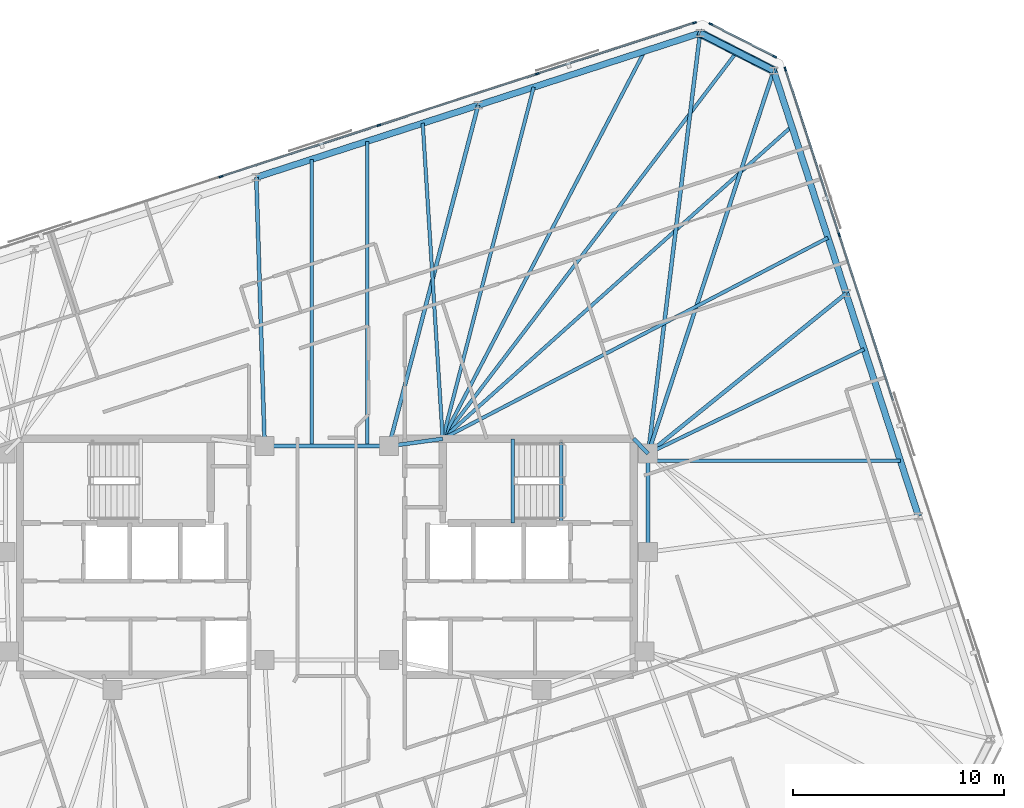
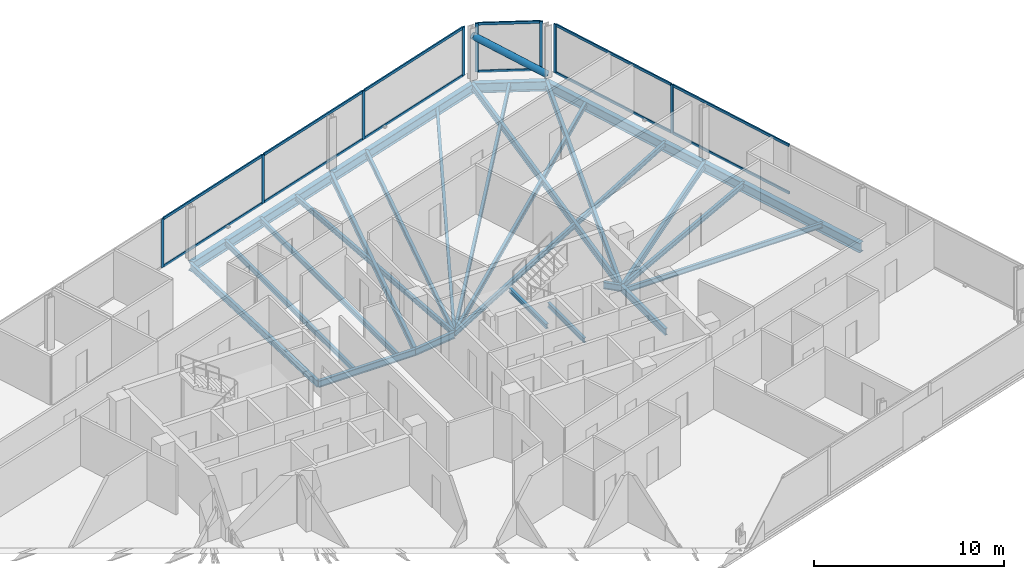
# One storey, part 10 of 19: 26 beams, 21 members, 3 elements without a shape of their own.
"""IFC4 building model written with IfcOpenShell, lengths in metres."""

from ifc_helpers import new_model, si_unit, direction, frame, origin, origin_2d, place, context, subcontext, project, spatial, rectangle, hollow_circle, i_section, extrude, material, material_profile, profile_set, type_object, element, aggregate, save


model = new_model("IFC4")

# Units and contexts
model_context = context("Model", 3, precision=1e-05, world=origin(), true_north=direction((0.0, 1.0)))
body_context = subcontext(model_context, "Body", "Model", "MODEL_VIEW")
ifc_project = project(units=[si_unit("LENGTHUNIT", "METRE"), si_unit("AREAUNIT", "SQUARE_METRE"), si_unit("VOLUMEUNIT", "CUBIC_METRE"), si_unit("PLANEANGLEUNIT", "RADIAN"), si_unit("MASSUNIT", "GRAM", prefix="KILO")], contexts=[model_context])

# Site, building, storey
site_placement = place(None, origin())
site = spatial("IfcSite", under=ifc_project, at=site_placement, CompositionType="ELEMENT")
building_placement = place(site_placement, origin())
building = spatial("IfcBuilding", under=site, at=building_placement, Name="Menara Jurai Vektor", CompositionType="ELEMENT")
storey_placement = place(building_placement, frame((0.0, 0.0, 241.050048828125)))
storey = spatial("IfcBuildingStorey", under=building, at=storey_placement, Name="L64", CompositionType="ELEMENT", Elevation=241.050048828125)

# Curtain wall, members
ifc_material_1 = material(Name="Anodised Pale Aluminium & Low-E Double Glazing", Category="aluminium")
curtain_wall_type = type_object("IfcCurtainWallType", Name="CW-BLK4", PredefinedType="NOTDEFINED", material=ifc_material_1)
curtain_wall_1_placement = place(storey_placement, origin())
curtain_wall_1 = element("IfcCurtainWall", 1, at=curtain_wall_1_placement, inside=storey, type_object=curtain_wall_type, Name="Unitised Curtain Wall L64 F03", PredefinedType="NOTDEFINED")
ifc_material_2 = material(Name="Anodised Pale Aluminium Mullion", Category="aluminium")
ifc_material_profile_1 = material_profile(ifc_material_2, rectangle(XDim=0.080078125, YDim=0.18994140625, at=origin_2d()), Name="ALU MUL 80x190")
ifc_profile_set_1 = profile_set([ifc_material_profile_1], Name="Anodised Pale Aluminium Mullion")
member_type_1 = type_object("IfcMemberType", Name="CW-BLK4-MUL", PredefinedType="MULLION", material=ifc_profile_set_1)
member_1_placement = place(storey_placement, frame((24.31494140625, 15.28271484375, 0.0), z_axis=(0.0, 0.0, 1.0), x_axis=(-0.95105668295, -0.309016481464, 0.0)))
member_1 = element("IfcMember", 2, at=member_1_placement, type_object=member_type_1, Name="CW-04 mullion 4", PredefinedType="MULLION", context=body_context, shape_type="SweptSolid", body=[
    extrude(rectangle(XDim=0.080078125, YDim=0.18994140625, at=origin_2d()), origin(), (0.0, 0.0, 1.0), 3.125),
])
member_2_placement = place(storey_placement, frame((21.75927734375, 23.14794921875, 0.0), z_axis=(0.0, 0.0, 1.0), x_axis=(-0.95105668295, -0.309016481464, 0.0)))
member_2 = element("IfcMember", 3, at=member_2_placement, type_object=member_type_1, Name="CW-04 mullion 5", PredefinedType="MULLION", context=body_context, shape_type="SweptSolid", body=[
    extrude(rectangle(XDim=0.080078125, YDim=0.18994140625, at=origin_2d()), origin(), (0.0, 0.0, 1.0), 3.125),
])

curtain_wall_2_placement = place(storey_placement, origin())
curtain_wall_2 = element("IfcCurtainWall", 4, at=curtain_wall_2_placement, inside=storey, type_object=curtain_wall_type, Name="Unitised Curtain Wall L64 F04", PredefinedType="NOTDEFINED")
member_3_placement = place(storey_placement, frame((21.25537109375, 23.73828125, 0.0), z_axis=(0.0, 0.0, 1.0), x_axis=(-0.453988579828, -0.89100750243, 0.0)))
member_3 = element("IfcMember", 5, at=member_3_placement, type_object=member_type_1, Name="CW-04 mullion 1", PredefinedType="MULLION", context=body_context, shape_type="SweptSolid", body=[
    extrude(rectangle(XDim=0.080078125, YDim=0.18994140625, at=origin_2d()), origin(), (0.0, 0.0, 1.0), 3.125),
])
member_4_placement = place(storey_placement, frame((18.223388671875, 25.282958984375, 0.0), z_axis=(0.0, 0.0, 1.0), x_axis=(-0.453988579828, -0.89100750243, 0.0)))
member_4 = element("IfcMember", 6, at=member_4_placement, type_object=member_type_1, Name="CW-04 mullion 2", PredefinedType="MULLION", context=body_context, shape_type="SweptSolid", body=[
    extrude(rectangle(XDim=0.080078125, YDim=0.18994140625, at=origin_2d()), origin(), (0.0, 0.0, 1.0), 3.125),
])

curtain_wall_3_placement = place(storey_placement, origin())
curtain_wall_3 = element("IfcCurtainWall", 7, at=curtain_wall_3_placement, inside=storey, type_object=curtain_wall_type, Name="Unitised Curtain Wall L64 F05", PredefinedType="NOTDEFINED")
member_5_placement = place(storey_placement, frame((17.44970703125, 25.34375, 0.0), z_axis=(0.0, 0.0, 1.0), x_axis=(0.309017344167, -0.951056402641, 0.0)))
member_5 = element("IfcMember", 8, at=member_5_placement, type_object=member_type_1, Name="CW-04 mullion 1", PredefinedType="MULLION", context=body_context, shape_type="SweptSolid", body=[
    extrude(rectangle(XDim=0.080078125, YDim=0.18994140625, at=origin_2d()), origin(), (0.0, 0.0, 1.0), 3.125),
])
member_6_placement = place(storey_placement, frame((9.982666015625, 22.917724609375, 0.0), z_axis=(0.0, 0.0, 1.0), x_axis=(0.309017344167, -0.951056402641, 0.0)))
member_6 = element("IfcMember", 9, at=member_6_placement, type_object=member_type_1, Name="CW-04 mullion 2", PredefinedType="MULLION", context=body_context, shape_type="SweptSolid", body=[
    extrude(rectangle(XDim=0.080078125, YDim=0.18994140625, at=origin_2d()), origin(), (0.0, 0.0, 1.0), 3.125),
])
member_7_placement = place(storey_placement, frame((2.4775390625, 20.47900390625, 0.0), z_axis=(0.0, 0.0, 1.0), x_axis=(0.309017344167, -0.951056402641, 0.0)))
member_7 = element("IfcMember", 10, at=member_7_placement, type_object=member_type_1, Name="CW-04 mullion 3", PredefinedType="MULLION", context=body_context, shape_type="SweptSolid", body=[
    extrude(rectangle(XDim=0.080078125, YDim=0.18994140625, at=origin_2d()), origin(), (0.0, 0.0, 1.0), 3.125),
])
member_8_placement = place(storey_placement, frame((-5.02783203125, 18.04052734375, 0.0), z_axis=(0.0, 0.0, 1.0), x_axis=(0.309017344167, -0.951056402641, 0.0)))
member_8 = element("IfcMember", 11, at=member_8_placement, type_object=member_type_1, Name="CW-04 mullion 4", PredefinedType="MULLION", context=body_context, shape_type="SweptSolid", body=[
    extrude(rectangle(XDim=0.080078125, YDim=0.18994140625, at=origin_2d()), origin(), (0.0, 0.0, 1.0), 3.125),
])

# Member
ifc_material_3 = material(Name="Anodised Pale Aluminium Transom", Category="aluminium")
ifc_material_profile_2 = material_profile(ifc_material_3, rectangle(XDim=0.080078125, YDim=0.1650390625, at=origin_2d()), Name="ALU TRN 80x165")
ifc_profile_set_2 = profile_set([ifc_material_profile_2], Name="Anodised Pale Aluminium Transom")
member_type_2 = type_object("IfcMemberType", Name="CW-BLK4-TRN", PredefinedType="USERDEFINED", material=ifc_profile_set_2)
member_9_placement = place(storey_placement, frame((26.870361328125, 7.41748046875, 0.0400390625), z_axis=(-0.309010276303, 0.951058699103, 0.0), x_axis=(-0.951058699103, -0.309010276303, 0.0)))
member_9 = element("IfcMember", 12, at=member_9_placement, type_object=member_type_2, Name="CW-04 transom 3.1", ObjectType="TRANSOM", PredefinedType="USERDEFINED", context=body_context, shape_type="SweptSolid", body=[
    extrude(rectangle(XDim=0.080078125, YDim=0.1650390625, at=origin_2d()), origin(), (0.0, 0.0, 1.0), 8.230224609375),
])

member_10_placement = place(storey_placement, frame((26.870361328125, 7.41748046875, 3.0849609375), z_axis=(-0.309010276303, 0.951058699103, 0.0), x_axis=(-0.951058699103, -0.309010276303, 0.0)))
member_10 = element("IfcMember", 13, at=member_10_placement, type_object=member_type_2, Name="CW-04 transom 3.2", ObjectType="TRANSOM", PredefinedType="USERDEFINED", context=body_context, shape_type="SweptSolid", body=[
    extrude(rectangle(XDim=0.080078125, YDim=0.1650390625, at=origin_2d()), origin(), (0.0, 0.0, 1.0), 8.230224609375),
])

member_11_placement = place(storey_placement, frame((24.302490234375, 15.32080078125, 0.0400390625), z_axis=(-0.309001816839, 0.951061447642, 0.0), x_axis=(-0.951061447642, -0.309001816839, 0.0)))
member_11 = element("IfcMember", 14, at=member_11_placement, type_object=member_type_2, Name="CW-04 transom 4.1", ObjectType="TRANSOM", PredefinedType="USERDEFINED", context=body_context, shape_type="SweptSolid", body=[
    extrude(rectangle(XDim=0.080078125, YDim=0.1650390625, at=origin_2d()), origin(), (0.0, 0.0, 1.0), 8.190185546875),
])

member_12_placement = place(storey_placement, frame((24.302490234375, 15.32080078125, 3.0849609375), z_axis=(-0.309001816839, 0.951061447642, 0.0), x_axis=(-0.951061447642, -0.309001816839, 0.0)))
member_12 = element("IfcMember", 15, at=member_12_placement, type_object=member_type_2, Name="CW-04 transom 4.2", ObjectType="TRANSOM", PredefinedType="USERDEFINED", context=body_context, shape_type="SweptSolid", body=[
    extrude(rectangle(XDim=0.080078125, YDim=0.1650390625, at=origin_2d()), origin(), (0.0, 0.0, 1.0), 8.190185546875),
])

aggregate(curtain_wall_1, [member_1, member_2, member_9, member_10, member_11, member_12])

member_13_placement = place(storey_placement, frame((21.2197265625, 23.75634765625, 0.0400390625), z_axis=(-0.89100697374, 0.453989617444, 0.0), x_axis=(-0.453989617444, -0.89100697374, 0.0)))
member_13 = element("IfcMember", 16, at=member_13_placement, type_object=member_type_2, Name="CW-04 transom 1.1", ObjectType="TRANSOM", PredefinedType="USERDEFINED", context=body_context, shape_type="SweptSolid", body=[
    extrude(rectangle(XDim=0.080078125, YDim=0.1650390625, at=origin_2d()), origin(), (0.0, 0.0, 1.0), 3.32275390625),
])

member_14_placement = place(storey_placement, frame((21.2197265625, 23.75634765625, 3.0849609375), z_axis=(-0.89100697374, 0.453989617444, 0.0), x_axis=(-0.453989617444, -0.89100697374, 0.0)))
member_14 = element("IfcMember", 17, at=member_14_placement, type_object=member_type_2, Name="CW-04 transom 1.2", ObjectType="TRANSOM", PredefinedType="USERDEFINED", context=body_context, shape_type="SweptSolid", body=[
    extrude(rectangle(XDim=0.080078125, YDim=0.1650390625, at=origin_2d()), origin(), (0.0, 0.0, 1.0), 3.32275390625),
])

aggregate(curtain_wall_2, [member_3, member_4, member_13, member_14])

member_15_placement = place(storey_placement, frame((17.41162109375, 25.33154296875, 0.0400390625), z_axis=(-0.951049997348, -0.309037056912, 0.0), x_axis=(0.309037056912, -0.951049997348, 0.0)))
member_15 = element("IfcMember", 18, at=member_15_placement, type_object=member_type_2, Name="CW-04 transom 1.1", ObjectType="TRANSOM", PredefinedType="USERDEFINED", context=body_context, shape_type="SweptSolid", body=[
    extrude(rectangle(XDim=0.080078125, YDim=0.1650390625, at=origin_2d()), origin(), (0.0, 0.0, 1.0), 7.771240234375),
])

member_16_placement = place(storey_placement, frame((17.41162109375, 25.33154296875, 3.0849609375), z_axis=(-0.951049997348, -0.309037056912, 0.0), x_axis=(0.309037056912, -0.951049997348, 0.0)))
member_16 = element("IfcMember", 19, at=member_16_placement, type_object=member_type_2, Name="CW-04 transom 1.2", ObjectType="TRANSOM", PredefinedType="USERDEFINED", context=body_context, shape_type="SweptSolid", body=[
    extrude(rectangle(XDim=0.080078125, YDim=0.1650390625, at=origin_2d()), origin(), (0.0, 0.0, 1.0), 7.771240234375),
])

member_17_placement = place(storey_placement, frame((9.944580078125, 22.9052734375, 0.0400390625), z_axis=(-0.951059330237, -0.309008333817, 0.0), x_axis=(0.309008333817, -0.951059330237, 0.0)))
member_17 = element("IfcMember", 20, at=member_17_placement, type_object=member_type_2, Name="CW-04 transom 2.1", ObjectType="TRANSOM", PredefinedType="USERDEFINED", context=body_context, shape_type="SweptSolid", body=[
    extrude(rectangle(XDim=0.080078125, YDim=0.1650390625, at=origin_2d()), origin(), (0.0, 0.0, 1.0), 7.8115234375),
])

member_18_placement = place(storey_placement, frame((9.944580078125, 22.9052734375, 3.0849609375), z_axis=(-0.951059330237, -0.309008333817, 0.0), x_axis=(0.309008333817, -0.951059330237, 0.0)))
member_18 = element("IfcMember", 21, at=member_18_placement, type_object=member_type_2, Name="CW-04 transom 2.2", ObjectType="TRANSOM", PredefinedType="USERDEFINED", context=body_context, shape_type="SweptSolid", body=[
    extrude(rectangle(XDim=0.080078125, YDim=0.1650390625, at=origin_2d()), origin(), (0.0, 0.0, 1.0), 7.8115234375),
])

member_19_placement = place(storey_placement, frame((2.439453125, 20.466552734375, 0.0400390625), z_axis=(-0.951059330237, -0.309008333817, 0.0), x_axis=(0.309008333817, -0.951059330237, 0.0)))
member_19 = element("IfcMember", 22, at=member_19_placement, type_object=member_type_2, Name="CW-04 transom 3.1", ObjectType="TRANSOM", PredefinedType="USERDEFINED", context=body_context, shape_type="SweptSolid", body=[
    extrude(rectangle(XDim=0.080078125, YDim=0.1650390625, at=origin_2d()), origin(), (0.0, 0.0, 1.0), 7.8115234375),
])

member_20_placement = place(storey_placement, frame((2.439453125, 20.466552734375, 3.0849609375), z_axis=(-0.951059330237, -0.309008333817, 0.0), x_axis=(0.309008333817, -0.951059330237, 0.0)))
member_20 = element("IfcMember", 23, at=member_20_placement, type_object=member_type_2, Name="CW-04 transom 3.2", ObjectType="TRANSOM", PredefinedType="USERDEFINED", context=body_context, shape_type="SweptSolid", body=[
    extrude(rectangle(XDim=0.080078125, YDim=0.1650390625, at=origin_2d()), origin(), (0.0, 0.0, 1.0), 7.8115234375),
])

aggregate(curtain_wall_3, [member_5, member_6, member_7, member_8, member_15, member_16, member_17, member_18, member_19, member_20])

# Beams
ifc_material_4 = material(Name="Steel S355", Category="steel")
ifc_material_profile_3 = material_profile(ifc_material_4, i_section(OverallWidth=0.18505859375, OverallDepth=0.429931640625, WebThickness=0.010986328125, FlangeThickness=0.01806640625, at=origin_2d()), Name="PG 430x185x76")
ifc_profile_set_3 = profile_set([ifc_material_profile_3], Name="Steel S355")
beam_type_1 = type_object("IfcBeamType", Name="STR-BM-430", PredefinedType="BEAM", material=ifc_profile_set_3)
beam_1_placement = place(storey_placement, frame((2.949951171875, 5.25, -0.43994140625), z_axis=(0.990706818608, 0.136014703483, 0.0), x_axis=(-0.136014703483, 0.990706818608, 0.0)))
element("IfcBeam", 24, at=beam_1_placement, inside=storey, type_object=beam_type_1, Name="Core Ring Header Girder L64-CHE-N1", PredefinedType="BEAM", context=body_context, shape_type="SweptSolid", body=[
    extrude(i_section(OverallWidth=0.18505859375, OverallDepth=0.429931640625, WebThickness=0.010986328125, FlangeThickness=0.01806640625, at=origin_2d()), origin(), (0.0, 0.0, 1.0), 2.573974609375),
])
beam_2_placement = place(storey_placement, frame((14.56005859375, 5.60009765625, -0.43994140625), z_axis=(0.701871936926, -0.712303154672, 0.0), x_axis=(0.712303154672, 0.701871936926, 0.0)))
element("IfcBeam", 25, at=beam_2_placement, inside=storey, type_object=beam_type_1, Name="Core Ring Header Girder L64-CHE-N2", PredefinedType="BEAM", context=body_context, shape_type="SweptSolid", body=[
    extrude(i_section(OverallWidth=0.18505859375, OverallDepth=0.429931640625, WebThickness=0.010986328125, FlangeThickness=0.01806640625, at=origin_2d()), origin(), (0.0, 0.0, 1.0), 0.98291015625),
])
beam_3_placement = place(storey_placement, frame((15.25, 0.219970703125, -0.43994140625), z_axis=(0.0, 1.0, 0.0), x_axis=(-1.0, 0.0, 0.0)))
element("IfcBeam", 26, at=beam_3_placement, inside=storey, type_object=beam_type_1, Name="Core Ring Header Girder L64-CHE-E1", PredefinedType="BEAM", context=body_context, shape_type="SweptSolid", body=[
    extrude(i_section(OverallWidth=0.18505859375, OverallDepth=0.429931640625, WebThickness=0.010986328125, FlangeThickness=0.01806640625, at=origin_2d()), origin(), (0.0, 0.0, 1.0), 4.679931640625),
])
beam_4_placement = place(storey_placement, frame((-2.949951171875, 5.25, -0.43994140625), z_axis=(1.0, 0.0, 0.0), x_axis=(0.0, 1.0, 0.0)))
element("IfcBeam", 27, at=beam_4_placement, inside=storey, type_object=beam_type_1, Name="Core Ring Header Girder L64-CC-2", PredefinedType="BEAM", context=body_context, shape_type="SweptSolid", body=[
    extrude(i_section(OverallWidth=0.18505859375, OverallDepth=0.429931640625, WebThickness=0.010986328125, FlangeThickness=0.01806640625, at=origin_2d()), origin(), (0.0, 0.0, 1.0), 5.89990234375),
])
beam_5_placement = place(storey_placement, frame((24.641845703125, 12.496826171875, -0.43994140625), z_axis=(-0.777487674144, -0.628898176619, 0.0), x_axis=(0.628898176619, -0.777487674144, 0.0)))
element("IfcBeam", 28, at=beam_5_placement, inside=storey, type_object=beam_type_1, Name="Radial Floor Girder L64-E3", PredefinedType="BEAM", context=body_context, shape_type="SweptSolid", body=[
    extrude(i_section(OverallWidth=0.18505859375, OverallDepth=0.429931640625, WebThickness=0.010986328125, FlangeThickness=0.01806640625, at=origin_2d()), origin(), (0.0, 0.0, 1.0), 12.079833984375),
])
beam_6_placement = place(storey_placement, frame((21.205810546875, 23.071044921875, -0.43994140625), z_axis=(-0.311459010005, -0.950259588263, 0.0), x_axis=(0.950259588263, -0.311459010005, 0.0)))
element("IfcBeam", 29, at=beam_6_placement, inside=storey, type_object=beam_type_1, Name="Radial Floor Girder L64-E4", PredefinedType="BEAM", context=body_context, shape_type="SweptSolid", body=[
    extrude(i_section(OverallWidth=0.18505859375, OverallDepth=0.429931640625, WebThickness=0.010986328125, FlangeThickness=0.01806640625, at=origin_2d()), origin(), (0.0, 0.0, 1.0), 19.122314453125),
])
beam_7_placement = place(storey_placement, frame((17.712890625, 24.85107421875, -0.43994140625), z_axis=(-0.122515938756, -0.99246654591, 0.0), x_axis=(0.99246654591, -0.122515938756, 0.0)))
element("IfcBeam", 30, at=beam_7_placement, inside=storey, type_object=beam_type_1, Name="Radial Floor Girder L64-N1", PredefinedType="BEAM", context=body_context, shape_type="SweptSolid", body=[
    extrude(i_section(OverallWidth=0.18505859375, OverallDepth=0.429931640625, WebThickness=0.010986328125, FlangeThickness=0.01806640625, at=origin_2d()), origin(), (0.0, 0.0, 1.0), 20.1025390625),
])
beam_8_placement = place(storey_placement, frame((7.18359375, 21.4296875, -0.43994140625), z_axis=(-0.253141463003, -0.96742927375, 0.0), x_axis=(0.96742927375, -0.253141463003, 0.0)))
element("IfcBeam", 31, at=beam_8_placement, inside=storey, type_object=beam_type_1, Name="Radial Floor Girder L64-N2", PredefinedType="BEAM", context=body_context, shape_type="SweptSolid", body=[
    extrude(i_section(OverallWidth=0.18505859375, OverallDepth=0.429931640625, WebThickness=0.010986328125, FlangeThickness=0.01806640625, at=origin_2d()), origin(), (0.0, 0.0, 1.0), 16.724365234375),
])
beam_9_placement = place(storey_placement, frame((-3.345703125, 18.008544921875, -0.43994140625), z_axis=(0.031003668991, -0.999519270704, 0.0), x_axis=(0.999519270704, 0.031003668991, 0.0)))
element("IfcBeam", 32, at=beam_9_placement, inside=storey, type_object=beam_type_1, Name="Radial Floor Girder L64-N3", PredefinedType="BEAM", context=body_context, shape_type="SweptSolid", body=[
    extrude(i_section(OverallWidth=0.18505859375, OverallDepth=0.429931640625, WebThickness=0.010986328125, FlangeThickness=0.01806640625, at=origin_2d()), origin(), (0.0, 0.0, 1.0), 12.7646484375),
])

# Member
ifc_material_5 = material(Name="Steel S460", Category="steel")
ifc_material_profile_4 = material_profile(ifc_material_5, hollow_circle(Radius=0.203125, WallThickness=0.01611328125, at=origin_2d()), Name="CHS 406.4x16")
ifc_profile_set_4 = profile_set([ifc_material_profile_4], Name="Steel S460")
member_type_3 = type_object("IfcMemberType", Name="STR-BR-406", PredefinedType="BRACE", material=ifc_profile_set_4)
member_21_placement = place(storey_placement, frame((21.2060546875, 23.071044921875, 0.14990234375), z_axis=(-0.740360915323, 0.377269459996, 0.556357321886), x_axis=(-0.454025593397, -0.890988642206, 0.0)))
element("IfcMember", 33, at=member_21_placement, inside=storey, type_object=member_type_3, Name="Exoskeleton Corner Brace L64-2", PredefinedType="BRACE", context=body_context, shape_type="SweptSolid", body=[
    extrude(hollow_circle(Radius=0.203125, WallThickness=0.01611328125, at=origin_2d()), origin(), (0.0, 0.0, 1.0), 4.71826171875),
])

# Beams
ifc_material_profile_5 = material_profile(ifc_material_4, i_section(OverallWidth=0.1650390625, OverallDepth=0.330078125, WebThickness=0.009033203125, FlangeThickness=0.013916015625, at=origin_2d()), Name="PG 330x165x46")
ifc_profile_set_5 = profile_set([ifc_material_profile_5], Name="Steel S355")
beam_type_2 = type_object("IfcBeamType", Name="STR-JS-330", PredefinedType="JOIST", material=ifc_profile_set_5)
beam_10_placement = place(storey_placement, frame((27.218505859375, 4.56591796875, -0.39013671875), z_axis=(-1.0, 0.0, 0.0), x_axis=(0.0, -1.0, 0.0)))
element("IfcBeam", 34, at=beam_10_placement, inside=storey, type_object=beam_type_2, Name="Radial Secondary Floor Joist L64-JS11", PredefinedType="JOIST", context=body_context, shape_type="SweptSolid", body=[
    extrude(i_section(OverallWidth=0.1650390625, OverallDepth=0.330078125, WebThickness=0.009033203125, FlangeThickness=0.013916015625, at=origin_2d()), origin(), (0.0, 0.0, 1.0), 11.968505859375),
])
beam_11_placement = place(storey_placement, frame((25.500732421875, 9.853271484375, -0.39013671875), z_axis=(-0.900388578627, -0.435086666629, 0.0), x_axis=(0.435086666629, -0.900388578627, 0.0)))
element("IfcBeam", 35, at=beam_11_placement, inside=storey, type_object=beam_type_2, Name="Radial Secondary Floor Joist L64-JS12", PredefinedType="JOIST", context=body_context, shape_type="SweptSolid", body=[
    extrude(i_section(OverallWidth=0.1650390625, OverallDepth=0.330078125, WebThickness=0.009033203125, FlangeThickness=0.013916015625, at=origin_2d()), origin(), (0.0, 0.0, 1.0), 11.384765625),
])
beam_12_placement = place(storey_placement, frame((23.78271484375, 15.140380859375, -0.39013671875), z_axis=(-0.886555502614, -0.462622244153, 0.0), x_axis=(0.462622244153, -0.886555502614, 0.0)))
element("IfcBeam", 36, at=beam_12_placement, inside=storey, type_object=beam_type_2, Name="Radial Secondary Floor Joist L64-JS13", PredefinedType="JOIST", context=body_context, shape_type="SweptSolid", body=[
    extrude(i_section(OverallWidth=0.1650390625, OverallDepth=0.330078125, WebThickness=0.009033203125, FlangeThickness=0.013916015625, at=origin_2d()), origin(), (0.0, 0.0, 1.0), 20.6220703125),
])
beam_13_placement = place(storey_placement, frame((22.06494140625, 20.427490234375, -0.39013671875), z_axis=(-0.745104297608, -0.666947963252, 0.0), x_axis=(0.666947963252, -0.745104297608, 0.0)))
element("IfcBeam", 37, at=beam_13_placement, inside=storey, type_object=beam_type_2, Name="Radial Secondary Floor Joist L64-JS14", PredefinedType="JOIST", context=body_context, shape_type="SweptSolid", body=[
    extrude(i_section(OverallWidth=0.1650390625, OverallDepth=0.330078125, WebThickness=0.009033203125, FlangeThickness=0.013916015625, at=origin_2d()), origin(), (0.0, 0.0, 1.0), 22.231689453125),
])
beam_14_placement = place(storey_placement, frame((19.45947265625, 23.9609375, -0.39013671875), z_axis=(-0.605227110118, -0.796052853257, 0.0), x_axis=(0.796052853257, -0.605227110118, 0.0)))
element("IfcBeam", 38, at=beam_14_placement, inside=storey, type_object=beam_type_2, Name="Radial Secondary Floor Joist L64-JS15", PredefinedType="JOIST", context=body_context, shape_type="SweptSolid", body=[
    extrude(i_section(OverallWidth=0.1650390625, OverallDepth=0.330078125, WebThickness=0.009033203125, FlangeThickness=0.013916015625, at=origin_2d()), origin(), (0.0, 0.0, 1.0), 23.06494140625),
])
beam_15_placement = place(storey_placement, frame((15.08056640625, 23.99560546875, -0.39013671875), z_axis=(-0.461918215026, -0.886922523464, 0.0), x_axis=(0.886922523464, -0.461918215026, 0.0)))
element("IfcBeam", 39, at=beam_15_placement, inside=storey, type_object=beam_type_2, Name="Radial Secondary Floor Joist L64-JS16", PredefinedType="JOIST", context=body_context, shape_type="SweptSolid", body=[
    extrude(i_section(OverallWidth=0.1650390625, OverallDepth=0.330078125, WebThickness=0.009033203125, FlangeThickness=0.013916015625, at=origin_2d()), origin(), (0.0, 0.0, 1.0), 20.74072265625),
])
beam_16_placement = place(storey_placement, frame((9.81591796875, 22.28515625, -0.39013671875), z_axis=(-0.250427234151, -0.968135424616, 0.0), x_axis=(0.968135424616, -0.250427234151, 0.0)))
element("IfcBeam", 40, at=beam_16_placement, inside=storey, type_object=beam_type_2, Name="Radial Secondary Floor Joist L64-JS17", PredefinedType="JOIST", context=body_context, shape_type="SweptSolid", body=[
    extrude(i_section(OverallWidth=0.1650390625, OverallDepth=0.330078125, WebThickness=0.009033203125, FlangeThickness=0.013916015625, at=origin_2d()), origin(), (0.0, 0.0, 1.0), 17.234130859375),
])
beam_17_placement = place(storey_placement, frame((4.55126953125, 20.574462890625, -0.39013671875), z_axis=(0.063230194737, -0.997998969175, 0.0), x_axis=(0.997998969175, 0.063230194737, 0.0)))
element("IfcBeam", 41, at=beam_17_placement, inside=storey, type_object=beam_type_2, Name="Radial Secondary Floor Joist L64-JS18", PredefinedType="JOIST", context=body_context, shape_type="SweptSolid", body=[
    extrude(i_section(OverallWidth=0.1650390625, OverallDepth=0.330078125, WebThickness=0.009033203125, FlangeThickness=0.013916015625, at=origin_2d()), origin(), (0.0, 0.0, 1.0), 15.00439453125),
])
beam_18_placement = place(storey_placement, frame((1.9189453125, 19.71923828125, -0.39013671875), z_axis=(0.0, -1.0, 0.0), x_axis=(1.0, 0.0, 0.0)))
element("IfcBeam", 42, at=beam_18_placement, inside=storey, type_object=beam_type_2, Name="Radial Secondary Floor Joist L64-JS19", PredefinedType="JOIST", context=body_context, shape_type="SweptSolid", body=[
    extrude(i_section(OverallWidth=0.1650390625, OverallDepth=0.330078125, WebThickness=0.009033203125, FlangeThickness=0.013916015625, at=origin_2d()), origin(), (0.0, 0.0, 1.0), 14.46923828125),
])
beam_19_placement = place(storey_placement, frame((-0.71337890625, 18.864013671875, -0.39013671875), z_axis=(0.0, -1.0, 0.0), x_axis=(1.0, 0.0, 0.0)))
element("IfcBeam", 43, at=beam_19_placement, inside=storey, type_object=beam_type_2, Name="Radial Secondary Floor Joist L64-JS20", PredefinedType="JOIST", context=body_context, shape_type="SweptSolid", body=[
    extrude(i_section(OverallWidth=0.1650390625, OverallDepth=0.330078125, WebThickness=0.009033203125, FlangeThickness=0.013916015625, at=origin_2d()), origin(), (0.0, 0.0, 1.0), 13.614013671875),
])
ifc_material_profile_6 = material_profile(ifc_material_4, i_section(OverallWidth=0.1650390625, OverallDepth=0.302978515625, WebThickness=0.006103515625, FlangeThickness=0.010009765625, FilletRadius=0.009033203125, at=origin_2d()), Name="UKB 305x165x40")
ifc_profile_set_6 = profile_set([ifc_material_profile_6], Name="Steel S355")
beam_type_3 = type_object("IfcBeamType", Name="STR-LN-305", PredefinedType="LINTEL", material=ifc_profile_set_6)
beam_20_placement = place(storey_placement, frame((11.1201171875, 1.60009765625, -0.37646484375), z_axis=(0.0, 1.0, 0.0), x_axis=(-1.0, 0.0, 0.0)))
element("IfcBeam", 44, at=beam_20_placement, inside=storey, type_object=beam_type_3, Name="Stair Well Floor Trimmer ST2 L64", PredefinedType="LINTEL", context=body_context, shape_type="SweptSolid", body=[
    extrude(i_section(OverallWidth=0.1650390625, OverallDepth=0.302978515625, WebThickness=0.006103515625, FlangeThickness=0.010009765625, FilletRadius=0.009033203125, at=origin_2d()), origin(), (0.0, 0.0, 1.0), 3.81982421875),
])
beam_21_placement = place(storey_placement, frame((8.830078125, 1.60009765625, 1.323486328125), z_axis=(0.0, 1.0, 0.0), x_axis=(-1.0, 0.0, 0.0)))
element("IfcBeam", 45, at=beam_21_placement, inside=storey, type_object=beam_type_3, Name="Stair Half-Landing Nosing Trimmer ST2-1 L64", PredefinedType="LINTEL", context=body_context, shape_type="SweptSolid", body=[
    extrude(i_section(OverallWidth=0.1650390625, OverallDepth=0.302978515625, WebThickness=0.006103515625, FlangeThickness=0.010009765625, FilletRadius=0.009033203125, at=origin_2d()), origin(), (0.0, 0.0, 1.0), 4.0),
])
ifc_material_profile_7 = material_profile(ifc_material_4, i_section(OverallWidth=0.306884765625, OverallDepth=0.6201171875, WebThickness=0.013916015625, FlangeThickness=0.02392578125, FilletRadius=0.01708984375, at=origin_2d()), Name="UKB 610x305x179")
ifc_profile_set_7 = profile_set([ifc_material_profile_7], Name="Steel S355")
beam_type_4 = type_object("IfcBeamType", Name="STR-SP-610", PredefinedType="SPANDREL", material=ifc_profile_set_7)
beam_22_placement = place(storey_placement, frame((28.07763671875, 1.92236328125, -0.53515625), z_axis=(-0.309012092614, 0.95105810896, 0.0), x_axis=(-0.95105810896, -0.309012092614, 0.0)))
element("IfcBeam", 46, at=beam_22_placement, inside=storey, type_object=beam_type_4, Name="Exoskeleton Spandrel Beam L64-08", PredefinedType="SPANDREL", context=body_context, shape_type="SweptSolid", body=[
    extrude(i_section(OverallWidth=0.306884765625, OverallDepth=0.6201171875, WebThickness=0.013916015625, FlangeThickness=0.02392578125, FilletRadius=0.01708984375, at=origin_2d()), origin(), (0.0, 0.0, 1.0), 11.11865234375),
])
beam_23_placement = place(storey_placement, frame((24.641845703125, 12.496826171875, -0.53515625), z_axis=(-0.309038407092, 0.951049558615, 0.0), x_axis=(-0.951049558615, -0.309038407092, 0.0)))
element("IfcBeam", 47, at=beam_23_placement, inside=storey, type_object=beam_type_4, Name="Exoskeleton Spandrel Beam L64-09", PredefinedType="SPANDREL", context=body_context, shape_type="SweptSolid", body=[
    extrude(i_section(OverallWidth=0.306884765625, OverallDepth=0.6201171875, WebThickness=0.013916015625, FlangeThickness=0.02392578125, FilletRadius=0.01708984375, at=origin_2d()), origin(), (0.0, 0.0, 1.0), 11.118408203125),
])
beam_24_placement = place(storey_placement, frame((21.205810546875, 23.071044921875, -0.53515625), z_axis=(-0.890975804423, 0.454050785633, 0.0), x_axis=(-0.454050785633, -0.890975804423, 0.0)))
element("IfcBeam", 48, at=beam_24_placement, inside=storey, type_object=beam_type_4, Name="Exoskeleton Spandrel Beam L64-10", PredefinedType="SPANDREL", context=body_context, shape_type="SweptSolid", body=[
    extrude(i_section(OverallWidth=0.306884765625, OverallDepth=0.6201171875, WebThickness=0.013916015625, FlangeThickness=0.02392578125, FilletRadius=0.01708984375, at=origin_2d()), origin(), (0.0, 0.0, 1.0), 3.92041015625),
])
beam_25_placement = place(storey_placement, frame((17.712890625, 24.85107421875, -0.53515625), z_axis=(-0.951050920942, -0.309034214572, 0.0), x_axis=(0.309034214572, -0.951050920942, 0.0)))
element("IfcBeam", 49, at=beam_25_placement, inside=storey, type_object=beam_type_4, Name="Exoskeleton Spandrel Beam L64-11", PredefinedType="SPANDREL", context=body_context, shape_type="SweptSolid", body=[
    extrude(i_section(OverallWidth=0.306884765625, OverallDepth=0.6201171875, WebThickness=0.013916015625, FlangeThickness=0.02392578125, FilletRadius=0.01708984375, at=origin_2d()), origin(), (0.0, 0.0, 1.0), 11.0712890625),
])
beam_26_placement = place(storey_placement, frame((7.18359375, 21.4296875, -0.53515625), z_axis=(-0.951057401967, -0.309014268544, 0.0), x_axis=(0.309014268544, -0.951057401967, 0.0)))
element("IfcBeam", 50, at=beam_26_placement, inside=storey, type_object=beam_type_4, Name="Exoskeleton Spandrel Beam L64-12", PredefinedType="SPANDREL", context=body_context, shape_type="SweptSolid", body=[
    extrude(i_section(OverallWidth=0.306884765625, OverallDepth=0.6201171875, WebThickness=0.013916015625, FlangeThickness=0.02392578125, FilletRadius=0.01708984375, at=origin_2d()), origin(), (0.0, 0.0, 1.0), 11.071044921875),
])

save(model, "model.ifc")
